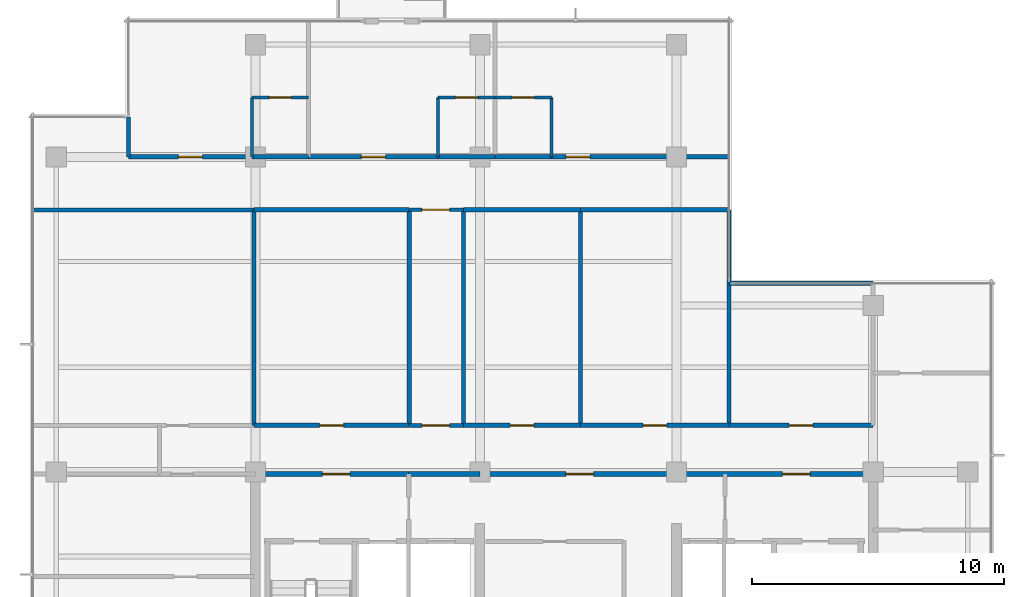
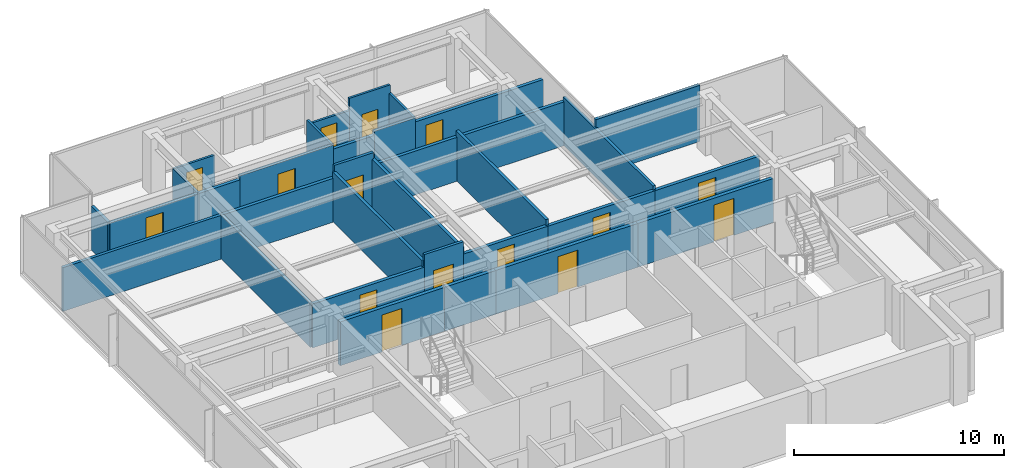
# One storey, part 7 of 11: 33 walls, 15 doors, 15 openings.
"""IFC4 building model written with IfcOpenShell, lengths in metres."""

from ifc_helpers import new_model, si_unit, direction, frame, frame_2d, origin, place, context, subcontext, project, spatial, rectangle, extrude, material, layer, layer_set, type_object, element, fill, save


model = new_model("IFC4")

# Units and contexts
model_context = context("Model", 3, precision=1e-05, world=origin(), true_north=direction((0.0, 1.0)))
body_context = subcontext(model_context, "Body", "Model", "MODEL_VIEW")
ifc_project = project(units=[si_unit("LENGTHUNIT", "METRE"), si_unit("AREAUNIT", "SQUARE_METRE"), si_unit("VOLUMEUNIT", "CUBIC_METRE"), si_unit("PLANEANGLEUNIT", "RADIAN"), si_unit("MASSUNIT", "GRAM", prefix="KILO")], contexts=[model_context])

# Site, building, storey
site_placement = place(None, origin())
site = spatial("IfcSite", under=ifc_project, at=site_placement, CompositionType="ELEMENT")
building_placement = place(site_placement, origin())
building = spatial("IfcBuilding", under=site, at=building_placement, Name="Qalmaran Belvedere Hotel", CompositionType="ELEMENT")
storey_placement = place(building_placement, frame((0.0, 0.0, 263.39990234375)))
storey = spatial("IfcBuildingStorey", under=building, at=storey_placement, Name="L68", CompositionType="ELEMENT", Elevation=263.39990234375)

# Wall, opening, door
ifc_material_1 = material(Name="Moisture-Resistant Gypsum")
ifc_layer_1 = layer(ifc_material_1, 0.1201171875, Name="Moisture-Resistant Gypsum")
ifc_layer_set_1 = layer_set([ifc_layer_1], Name="Moisture-Resistant Gypsum")
wall_type_1 = type_object("IfcWallType", Name="WL-INT-120-BATH", PredefinedType="PARTITIONING", material=ifc_layer_set_1)
wall_1_placement = place(storey_placement, frame((20.1630859375, 35.35009765625, 0.0), z_axis=(0.0, 0.0, 1.0), x_axis=(1.0, 0.0, 0.0)))
wall_1 = element("IfcWall", 1, at=wall_1_placement, inside=storey, type_object=wall_type_1, Name="L68 Partition WL-L68-NBN00", PredefinedType="PARTITIONING", context=body_context, shape_type="SweptSolid", body=[
    extrude(rectangle(XDim=2.25, YDim=0.1201171875, at=frame_2d((1.125, 0.0))), origin(), (0.0, 0.0, 1.0), 2.550048828125),
])
opening_1_placement = place(wall_1_placement, frame((1.56494140625, 0.0, 0.0), z_axis=(0.0, 0.0, 1.0), x_axis=(-1.0, 0.0, 0.0)))
opening_1 = element("IfcOpeningElement", 2, at=opening_1_placement, cuts=wall_1, Name="Opening D-BATH", PredefinedType="OPENING", context=body_context, shape_type="SweptSolid", body=[
    extrude(rectangle(XDim=0.8798828125, YDim=2.080078125, at=frame_2d((0.43994140625, 1.0400390625))), frame((0.0, 0.070068359375, 0.0), z_axis=(0.0, -1.0, 0.0), x_axis=(1.0, 0.0, 0.0)), (0.0, 0.0, 1.0), 0.14013671875),
])
ifc_material_2 = material(Name="Engineered Oak Veneer")
door_type_1 = type_object("IfcDoorType", Name="DR-INT-BATH-880X2080", OperationType="NOTDEFINED", PredefinedType="DOOR", material=ifc_material_2)
door_1_placement = place(opening_1_placement, origin())
door_1 = element("IfcDoor", 3, at=door_1_placement, inside=storey, type_object=door_type_1, Name="L68 Ensuite Bathroom Door N01", OperationType="SINGLE_SWING_RIGHT", OverallHeight=2.080078125, OverallWidth=0.8798828125, PredefinedType="DOOR", context=body_context, shape_type="SweptSolid", body=[
    extrude(rectangle(XDim=0.8798828125, YDim=2.080078125, at=frame_2d((0.43994140625, 1.0400390625))), frame((0.0, 0.02490234375, 0.0), z_axis=(0.0, -1.0, 0.0), x_axis=(1.0, 0.0, 0.0)), (0.0, 0.0, 1.0), 0.050048828125),
])
fill(opening_1, door_1)

# Wall
wall_2_placement = place(storey_placement, frame((20.1630859375, 33.0, 0.0), z_axis=(0.0, 0.0, 1.0), x_axis=(0.0, 1.0, 0.0)))
element("IfcWall", 4, at=wall_2_placement, inside=storey, type_object=wall_type_1, Name="L68 Partition WL-L68-NBS00", PredefinedType="PARTITIONING", context=body_context, shape_type="SweptSolid", body=[
    extrude(rectangle(XDim=2.35009765625, YDim=0.1201171875, at=frame_2d((1.175048828125, 0.0))), origin(), (0.0, 0.0, 1.0), 2.550048828125),
])

# Wall, opening, door
wall_3_placement = place(storey_placement, frame((27.544189453125, 35.35009765625, 0.0), z_axis=(0.0, 0.0, 1.0), x_axis=(1.0, 0.0, 0.0)))
wall_3 = element("IfcWall", 5, at=wall_3_placement, inside=storey, type_object=wall_type_1, Name="L68 Partition WL-L68-NBN01", PredefinedType="PARTITIONING", context=body_context, shape_type="SweptSolid", body=[
    extrude(rectangle(XDim=2.25, YDim=0.1201171875, at=frame_2d((1.125, 0.0))), origin(), (0.0, 0.0, 1.0), 2.550048828125),
])
opening_2_placement = place(wall_3_placement, frame((1.56494140625, 0.0, 0.0), z_axis=(0.0, 0.0, 1.0), x_axis=(-1.0, 0.0, 0.0)))
opening_2 = element("IfcOpeningElement", 6, at=opening_2_placement, cuts=wall_3, Name="Opening D-BATH", PredefinedType="OPENING", context=body_context, shape_type="SweptSolid", body=[
    extrude(rectangle(XDim=0.8798828125, YDim=2.080078125, at=frame_2d((0.43994140625, 1.0400390625))), frame((0.0, 0.070068359375, 0.0), z_axis=(0.0, -1.0, 0.0), x_axis=(1.0, 0.0, 0.0)), (0.0, 0.0, 1.0), 0.14013671875),
])
door_2_placement = place(opening_2_placement, origin())
door_2 = element("IfcDoor", 7, at=door_2_placement, inside=storey, type_object=door_type_1, Name="L68 Ensuite Bathroom Door N02", OperationType="SINGLE_SWING_RIGHT", OverallHeight=2.080078125, OverallWidth=0.8798828125, PredefinedType="DOOR", context=body_context, shape_type="SweptSolid", body=[
    extrude(rectangle(XDim=0.8798828125, YDim=2.080078125, at=frame_2d((0.43994140625, 1.0400390625))), frame((0.0, 0.02490234375, 0.0), z_axis=(0.0, -1.0, 0.0), x_axis=(1.0, 0.0, 0.0)), (0.0, 0.0, 1.0), 0.050048828125),
])
fill(opening_2, door_2)

# Wall
wall_4_placement = place(storey_placement, frame((27.544189453125, 33.0, 0.0), z_axis=(0.0, 0.0, 1.0), x_axis=(0.0, 1.0, 0.0)))
element("IfcWall", 8, at=wall_4_placement, inside=storey, type_object=wall_type_1, Name="L68 Partition WL-L68-NBS01", PredefinedType="PARTITIONING", context=body_context, shape_type="SweptSolid", body=[
    extrude(rectangle(XDim=2.35009765625, YDim=0.1201171875, at=frame_2d((1.175048828125, 0.0))), origin(), (0.0, 0.0, 1.0), 2.781982421875),
])

# Wall, opening, door
wall_5_placement = place(storey_placement, frame((29.794189453125, 35.35009765625, 0.0), z_axis=(0.0, 0.0, 1.0), x_axis=(1.0, 0.0, 0.0)))
wall_5 = element("IfcWall", 9, at=wall_5_placement, inside=storey, type_object=wall_type_1, Name="L68 Partition WL-L68-NBN02", PredefinedType="PARTITIONING", context=body_context, shape_type="SweptSolid", body=[
    extrude(rectangle(XDim=2.25, YDim=0.1201171875, at=frame_2d((1.125, 0.0))), origin(), (0.0, 0.0, 1.0), 3.260009765625),
])
opening_3_placement = place(wall_5_placement, frame((1.56494140625, 0.0, 0.0), z_axis=(0.0, 0.0, 1.0), x_axis=(-1.0, 0.0, 0.0)))
opening_3 = element("IfcOpeningElement", 10, at=opening_3_placement, cuts=wall_5, Name="Opening D-BATH", PredefinedType="OPENING", context=body_context, shape_type="SweptSolid", body=[
    extrude(rectangle(XDim=0.8798828125, YDim=2.080078125, at=frame_2d((0.43994140625, 1.0400390625))), frame((0.0, 0.070068359375, 0.0), z_axis=(0.0, -1.0, 0.0), x_axis=(1.0, 0.0, 0.0)), (0.0, 0.0, 1.0), 0.14013671875),
])
door_3_placement = place(opening_3_placement, origin())
door_3 = element("IfcDoor", 11, at=door_3_placement, inside=storey, type_object=door_type_1, Name="L68 Ensuite Bathroom Door N03", OperationType="SINGLE_SWING_RIGHT", OverallHeight=2.080078125, OverallWidth=0.8798828125, PredefinedType="DOOR", context=body_context, shape_type="SweptSolid", body=[
    extrude(rectangle(XDim=0.8798828125, YDim=2.080078125, at=frame_2d((0.43994140625, 1.0400390625))), frame((0.0, 0.02490234375, 0.0), z_axis=(0.0, -1.0, 0.0), x_axis=(1.0, 0.0, 0.0)), (0.0, 0.0, 1.0), 0.050048828125),
])
fill(opening_3, door_3)

# Wall
wall_6_placement = place(storey_placement, frame((32.044189453125, 33.0, 0.0), z_axis=(0.0, 0.0, 1.0), x_axis=(0.0, 1.0, 0.0)))
element("IfcWall", 12, at=wall_6_placement, inside=storey, type_object=wall_type_1, Name="L68 Partition WL-L68-NBS02", PredefinedType="PARTITIONING", context=body_context, shape_type="SweptSolid", body=[
    extrude(rectangle(XDim=2.35009765625, YDim=0.1201171875, at=frame_2d((1.175048828125, 0.0))), origin(), (0.0, 0.0, 1.0), 2.781982421875),
])

# Wall, opening, door
ifc_material_3 = material(Name="Gypsum Stud Partition")
ifc_layer_2 = layer(ifc_material_3, 0.14990234375, Name="Gypsum Stud Partition")
ifc_layer_set_2 = layer_set([ifc_layer_2], Name="Gypsum Stud Partition")
wall_type_2 = type_object("IfcWallType", Name="WL-INT-150-EI60", PredefinedType="PARTITIONING", material=ifc_layer_set_2)
wall_7_placement = place(storey_placement, frame((26.39990234375, 22.35009765625, 0.0), z_axis=(0.0, 0.0, 1.0), x_axis=(1.0, 0.0, 0.0)))
wall_7 = element("IfcWall", 13, at=wall_7_placement, inside=storey, type_object=wall_type_2, Name="L68 Partition WL-L68-XCLS", PredefinedType="PARTITIONING", context=body_context, shape_type="SweptSolid", body=[
    extrude(rectangle(XDim=2.150146484375, YDim=0.14990234375, at=frame_2d((1.0751953125, 0.0))), origin(), (0.0, 0.0, 1.0), 3.260009765625),
])
opening_4_placement = place(wall_7_placement, frame((0.5, 0.0, 0.0)))
opening_4 = element("IfcOpeningElement", 14, at=opening_4_placement, cuts=wall_7, Name="Opening FD90", PredefinedType="OPENING", context=body_context, shape_type="SweptSolid", body=[
    extrude(rectangle(XDim=1.10009765625, YDim=2.14990234375, at=frame_2d((0.550048828125, 1.074951171875))), frame((0.0, 0.0849609375, 0.0), z_axis=(0.0, -1.0, 0.0), x_axis=(1.0, 0.0, 0.0)), (0.0, 0.0, 1.0), 0.169921875),
])
ifc_material_4 = material(Name="Steel S355JR", Category="steel")
door_type_2 = type_object("IfcDoorType", Name="DR-FD90-1100X2150", OperationType="NOTDEFINED", PredefinedType="DOOR", material=ifc_material_4)
door_4_placement = place(opening_4_placement, origin())
door_4 = element("IfcDoor", 15, at=door_4_placement, inside=storey, type_object=door_type_2, Name="L68 Sky Link South Door", OperationType="SINGLE_SWING_LEFT", OverallHeight=2.14990234375, OverallWidth=1.10009765625, PredefinedType="DOOR", context=body_context, shape_type="SweptSolid", body=[
    extrude(rectangle(XDim=1.10009765625, YDim=2.14990234375, at=frame_2d((0.550048828125, 1.074951171875))), frame((0.0, 0.02490234375, 0.0), z_axis=(0.0, -1.0, 0.0), x_axis=(1.0, 0.0, 0.0)), (0.0, 0.0, 1.0), 0.050048828125),
])
fill(opening_4, door_4)

wall_8_placement = place(storey_placement, frame((26.39990234375, 30.89990234375, 0.0), z_axis=(0.0, 0.0, 1.0), x_axis=(1.0, 0.0, 0.0)))
wall_8 = element("IfcWall", 16, at=wall_8_placement, inside=storey, type_object=wall_type_2, Name="L68 Partition WL-L68-XCLN", PredefinedType="PARTITIONING", context=body_context, shape_type="SweptSolid", body=[
    extrude(rectangle(XDim=2.150146484375, YDim=0.14990234375, at=frame_2d((1.0751953125, 0.0))), origin(), (0.0, 0.0, 1.0), 3.260009765625),
])
opening_5_placement = place(wall_8_placement, frame((0.5, 0.0, 0.0)))
opening_5 = element("IfcOpeningElement", 17, at=opening_5_placement, cuts=wall_8, Name="Opening FD90", PredefinedType="OPENING", context=body_context, shape_type="SweptSolid", body=[
    extrude(rectangle(XDim=1.10009765625, YDim=2.14990234375, at=frame_2d((0.550048828125, 1.074951171875))), frame((0.0, 0.0849609375, 0.0), z_axis=(0.0, -1.0, 0.0), x_axis=(1.0, 0.0, 0.0)), (0.0, 0.0, 1.0), 0.169921875),
])
door_5_placement = place(opening_5_placement, origin())
door_5 = element("IfcDoor", 18, at=door_5_placement, inside=storey, type_object=door_type_2, Name="L68 Sky Link North Door", OperationType="SINGLE_SWING_RIGHT", OverallHeight=2.14990234375, OverallWidth=1.10009765625, PredefinedType="DOOR", context=body_context, shape_type="SweptSolid", body=[
    extrude(rectangle(XDim=1.10009765625, YDim=2.14990234375, at=frame_2d((0.550048828125, 1.074951171875))), frame((0.0, 0.02490234375, 0.0), z_axis=(0.0, -1.0, 0.0), x_axis=(1.0, 0.0, 0.0)), (0.0, 0.0, 1.0), 0.050048828125),
])
fill(opening_5, door_5)

# Walls
ifc_layer_3 = layer(ifc_material_3, 0.159912109375, Name="Gypsum Stud Partition")
ifc_layer_set_3 = layer_set([ifc_layer_3], Name="Gypsum Stud Partition")
wall_type_3 = type_object("IfcWallType", Name="WL-INT-160-EI60", PredefinedType="PARTITIONING", material=ifc_layer_set_3)
wall_9_placement = place(storey_placement, frame((11.469970703125, 30.89990234375, 0.0), z_axis=(0.0, 0.0, 1.0), x_axis=(1.0, 0.0, 0.0)))
element("IfcWall", 19, at=wall_9_placement, inside=storey, type_object=wall_type_3, Name="L68 Partition WL-L68-C4WN1", PredefinedType="PARTITIONING", context=body_context, shape_type="SweptSolid", body=[
    extrude(rectangle(XDim=8.780029296875, YDim=0.159912109375, at=frame_2d((4.39013671875, 0.0))), origin(), (0.0, 0.0, 1.0), 2.550048828125),
])
wall_10_placement = place(storey_placement, frame((20.25, 22.35009765625, 0.0), z_axis=(0.0, 0.0, 1.0), x_axis=(0.0, 1.0, 0.0)))
element("IfcWall", 20, at=wall_10_placement, inside=storey, type_object=wall_type_3, Name="L68 Partition WL-L68-C4MWVL", PredefinedType="PARTITIONING", context=body_context, shape_type="SweptSolid", body=[
    extrude(rectangle(XDim=8.5498046875, YDim=0.159912109375, at=frame_2d((4.27490234375, 0.0))), origin(), (0.0, 0.0, 1.0), 2.550048828125),
])
for number, where, z_axis, x_axis, name in (
    (21, (26.39990234375, 22.35009765625, 0.0), (0.0, 0.0, 1.0), (0.0, 1.0, 0.0), "L68 Partition WL-L68-C4MWVR1"),
    (22, (28.550048828125, 22.35009765625, 0.0), (0.0, 0.0, 1.0), (0.0, 1.0, 0.0), "L68 Partition WL-L68-C4MEVL"),
    (23, (33.199951171875, 22.35009765625, 0.0), (0.0, 0.0, 1.0), (0.0, 1.0, 0.0), "L68 Partition WL-L68-C4MEVR1"),
):
    element("IfcWall", number, at=place(storey_placement, frame(where, z_axis=z_axis, x_axis=x_axis)), inside=storey, type_object=wall_type_3, Name=name, PredefinedType="PARTITIONING", context=body_context, shape_type="SweptSolid", body=[
        extrude(rectangle(XDim=8.5498046875, YDim=0.159912109375, at=frame_2d((4.27490234375, 0.0))), origin(), (0.0, 0.0, 1.0), 2.88720703125),
    ])
wall_11_placement = place(storey_placement, frame((39.080078125, 22.35009765625, 0.0), z_axis=(0.0, 0.0, 1.0), x_axis=(0.0, 1.0, 0.0)))
element("IfcWall", 24, at=wall_11_placement, inside=storey, type_object=wall_type_3, Name="L68 Partition WL-L68-C4MEVR2", PredefinedType="PARTITIONING", context=body_context, shape_type="SweptSolid", body=[
    extrude(rectangle(XDim=8.5498046875, YDim=0.159912109375, at=frame_2d((4.27490234375, 0.0))), origin(), (0.0, 0.0, 1.0), 2.781982421875),
])
wall_12_placement = place(storey_placement, frame((15.27001953125, 33.0, 0.0), z_axis=(0.0, 0.0, 1.0), x_axis=(0.0, 1.0, 0.0)))
element("IfcWall", 25, at=wall_12_placement, inside=storey, type_object=wall_type_3, Name="L68 Partition WL-L68-NUL", PredefinedType="PARTITIONING", context=body_context, shape_type="SweptSolid", body=[
    extrude(rectangle(XDim=1.580078125, YDim=0.159912109375, at=frame_2d((0.7900390625, 0.0))), origin(), (0.0, 0.0, 1.0), 2.550048828125),
])

# Wall, opening, door
ifc_layer_4 = layer(ifc_material_3, 0.179931640625, Name="Gypsum Stud Partition")
ifc_layer_set_4 = layer_set([ifc_layer_4], Name="Gypsum Stud Partition")
wall_type_4 = type_object("IfcWallType", Name="WL-INT-180-EI60", PredefinedType="PARTITIONING", material=ifc_layer_set_4)
wall_13_placement = place(storey_placement, frame((20.25, 22.35009765625, 0.0), z_axis=(0.0, 0.0, 1.0), x_axis=(1.0, 0.0, 0.0)))
wall_13 = element("IfcWall", 26, at=wall_13_placement, inside=storey, type_object=wall_type_4, Name="L68 Partition WL-L68-C4MWD1", PredefinedType="PARTITIONING", context=body_context, shape_type="SweptSolid", body=[
    extrude(rectangle(XDim=6.14990234375, YDim=0.179931640625, at=frame_2d((3.074951171875, 0.0))), origin(), (0.0, 0.0, 1.0), 2.550048828125),
])
opening_6_placement = place(wall_13_placement, frame((2.60009765625, 0.0, 0.0)))
opening_6 = element("IfcOpeningElement", 27, at=opening_6_placement, cuts=wall_13, Name="Opening FD60", PredefinedType="OPENING", context=body_context, shape_type="SweptSolid", body=[
    extrude(rectangle(XDim=0.949951171875, YDim=2.14990234375, at=frame_2d((0.47509765625, 1.074951171875))), frame((0.0, 0.10009765625, 0.0), z_axis=(0.0, -1.0, 0.0), x_axis=(1.0, 0.0, 0.0)), (0.0, 0.0, 1.0), 0.199951171875),
])
door_type_3 = type_object("IfcDoorType", Name="DR-FD60-950X2150", OperationType="NOTDEFINED", PredefinedType="DOOR", material=ifc_material_2)
door_6_placement = place(opening_6_placement, origin())
door_6 = element("IfcDoor", 28, at=door_6_placement, inside=storey, type_object=door_type_3, Name="L68 Housekeeping and Linen Room Door", OperationType="SINGLE_SWING_RIGHT", OverallHeight=2.14990234375, OverallWidth=0.949951171875, PredefinedType="DOOR", context=body_context, shape_type="SweptSolid", body=[
    extrude(rectangle(XDim=0.949951171875, YDim=2.14990234375, at=frame_2d((0.47509765625, 1.074951171875))), frame((0.0, 0.02490234375, 0.0), z_axis=(0.0, -1.0, 0.0), x_axis=(1.0, 0.0, 0.0)), (0.0, 0.0, 1.0), 0.050048828125),
])
fill(opening_6, door_6)

# Wall
wall_14_placement = place(storey_placement, frame((20.25, 30.89990234375, 0.0), z_axis=(0.0, 0.0, 1.0), x_axis=(1.0, 0.0, 0.0)))
element("IfcWall", 29, at=wall_14_placement, inside=storey, type_object=wall_type_4, Name="L68 Partition WL-L68-C4MWO1", PredefinedType="PARTITIONING", context=body_context, shape_type="SweptSolid", body=[
    extrude(rectangle(XDim=6.14990234375, YDim=0.179931640625, at=frame_2d((3.074951171875, 0.0))), origin(), (0.0, 0.0, 1.0), 2.550048828125),
])

# Wall, opening, door
wall_15_placement = place(storey_placement, frame((28.550048828125, 22.35009765625, 0.0), z_axis=(0.0, 0.0, 1.0), x_axis=(1.0, 0.0, 0.0)))
wall_15 = element("IfcWall", 30, at=wall_15_placement, inside=storey, type_object=wall_type_4, Name="L68 Partition WL-L68-C4MED1", PredefinedType="PARTITIONING", context=body_context, shape_type="SweptSolid", body=[
    extrude(rectangle(XDim=4.64990234375, YDim=0.179931640625, at=frame_2d((2.324951171875, 0.0))), origin(), (0.0, 0.0, 1.0), 2.550048828125),
])
opening_7_placement = place(wall_15_placement, frame((1.85009765625, 0.0, 0.0)))
opening_7 = element("IfcOpeningElement", 31, at=opening_7_placement, cuts=wall_15, Name="Opening FD60", PredefinedType="OPENING", context=body_context, shape_type="SweptSolid", body=[
    extrude(rectangle(XDim=0.949951171875, YDim=2.14990234375, at=frame_2d((0.47509765625, 1.074951171875))), frame((0.0, 0.10009765625, 0.0), z_axis=(0.0, -1.0, 0.0), x_axis=(1.0, 0.0, 0.0)), (0.0, 0.0, 1.0), 0.199951171875),
])
door_7_placement = place(opening_7_placement, origin())
door_7 = element("IfcDoor", 32, at=door_7_placement, inside=storey, type_object=door_type_3, Name="L68 Drawing Lounge Door", OperationType="SINGLE_SWING_LEFT", OverallHeight=2.14990234375, OverallWidth=0.949951171875, PredefinedType="DOOR", context=body_context, shape_type="SweptSolid", body=[
    extrude(rectangle(XDim=0.949951171875, YDim=2.14990234375, at=frame_2d((0.47509765625, 1.074951171875))), frame((0.0, 0.02490234375, 0.0), z_axis=(0.0, -1.0, 0.0), x_axis=(1.0, 0.0, 0.0)), (0.0, 0.0, 1.0), 0.050048828125),
])
fill(opening_7, door_7)

# Wall
wall_16_placement = place(storey_placement, frame((28.550048828125, 30.89990234375, 0.0), z_axis=(0.0, 0.0, 1.0), x_axis=(1.0, 0.0, 0.0)))
element("IfcWall", 33, at=wall_16_placement, inside=storey, type_object=wall_type_4, Name="L68 Partition WL-L68-C4MEO1", PredefinedType="PARTITIONING", context=body_context, shape_type="SweptSolid", body=[
    extrude(rectangle(XDim=4.64990234375, YDim=0.179931640625, at=frame_2d((2.324951171875, 0.0))), origin(), (0.0, 0.0, 1.0), 2.550048828125),
])

# Wall, opening, door
wall_17_placement = place(storey_placement, frame((33.199951171875, 22.35009765625, 0.0), z_axis=(0.0, 0.0, 1.0), x_axis=(1.0, 0.0, 0.0)))
wall_17 = element("IfcWall", 34, at=wall_17_placement, inside=storey, type_object=wall_type_4, Name="L68 Partition WL-L68-C4MED2", PredefinedType="PARTITIONING", context=body_context, shape_type="SweptSolid", body=[
    extrude(rectangle(XDim=5.880126953125, YDim=0.179931640625, at=frame_2d((2.93994140625, 0.0))), origin(), (0.0, 0.0, 1.0), 2.550048828125),
])
opening_8_placement = place(wall_17_placement, frame((2.465087890625, 0.0, 0.0)))
opening_8 = element("IfcOpeningElement", 35, at=opening_8_placement, cuts=wall_17, Name="Opening FD60", PredefinedType="OPENING", context=body_context, shape_type="SweptSolid", body=[
    extrude(rectangle(XDim=0.949951171875, YDim=2.14990234375, at=frame_2d((0.47509765625, 1.074951171875))), frame((0.0, 0.10009765625, 0.0), z_axis=(0.0, -1.0, 0.0), x_axis=(1.0, 0.0, 0.0)), (0.0, 0.0, 1.0), 0.199951171875),
])
door_8_placement = place(opening_8_placement, origin())
door_8 = element("IfcDoor", 36, at=door_8_placement, inside=storey, type_object=door_type_3, Name="L68 Sitting Lounge Door", OperationType="SINGLE_SWING_RIGHT", OverallHeight=2.14990234375, OverallWidth=0.949951171875, PredefinedType="DOOR", context=body_context, shape_type="SweptSolid", body=[
    extrude(rectangle(XDim=0.949951171875, YDim=2.14990234375, at=frame_2d((0.47509765625, 1.074951171875))), frame((0.0, 0.02490234375, 0.0), z_axis=(0.0, -1.0, 0.0), x_axis=(1.0, 0.0, 0.0)), (0.0, 0.0, 1.0), 0.050048828125),
])
fill(opening_8, door_8)

# Wall
wall_18_placement = place(storey_placement, frame((33.199951171875, 30.89990234375, 0.0), z_axis=(0.0, 0.0, 1.0), x_axis=(1.0, 0.0, 0.0)))
element("IfcWall", 37, at=wall_18_placement, inside=storey, type_object=wall_type_4, Name="L68 Partition WL-L68-C4MEO2", PredefinedType="PARTITIONING", context=body_context, shape_type="SweptSolid", body=[
    extrude(rectangle(XDim=5.880126953125, YDim=0.179931640625, at=frame_2d((2.93994140625, 0.0))), origin(), (0.0, 0.0, 1.0), 2.550048828125),
])

# Wall, opening, door
wall_19_placement = place(storey_placement, frame((39.080078125, 22.35009765625, 0.0), z_axis=(0.0, 0.0, 1.0), x_axis=(1.0, 0.0, 0.0)))
wall_19 = element("IfcWall", 38, at=wall_19_placement, inside=storey, type_object=wall_type_4, Name="L68 Partition WL-L68-C4MFD1", PredefinedType="PARTITIONING", context=body_context, shape_type="SweptSolid", body=[
    extrude(rectangle(XDim=5.719970703125, YDim=0.179931640625, at=frame_2d((2.85986328125, 0.0))), origin(), (0.0, 0.0, 1.0), 2.550048828125),
])
opening_9_placement = place(wall_19_placement, frame((2.385009765625, 0.0, 0.0)))
opening_9 = element("IfcOpeningElement", 39, at=opening_9_placement, cuts=wall_19, Name="Opening FD60", PredefinedType="OPENING", context=body_context, shape_type="SweptSolid", body=[
    extrude(rectangle(XDim=0.949951171875, YDim=2.14990234375, at=frame_2d((0.47509765625, 1.074951171875))), frame((0.0, 0.10009765625, 0.0), z_axis=(0.0, -1.0, 0.0), x_axis=(1.0, 0.0, 0.0)), (0.0, 0.0, 1.0), 0.199951171875),
])
door_9_placement = place(opening_9_placement, origin())
door_9 = element("IfcDoor", 40, at=door_9_placement, inside=storey, type_object=door_type_3, Name="L68 Family Lounge Door", OperationType="SINGLE_SWING_LEFT", OverallHeight=2.14990234375, OverallWidth=0.949951171875, PredefinedType="DOOR", context=body_context, shape_type="SweptSolid", body=[
    extrude(rectangle(XDim=0.949951171875, YDim=2.14990234375, at=frame_2d((0.47509765625, 1.074951171875))), frame((0.0, 0.02490234375, 0.0), z_axis=(0.0, -1.0, 0.0), x_axis=(1.0, 0.0, 0.0)), (0.0, 0.0, 1.0), 0.050048828125),
])
fill(opening_9, door_9)

# Walls
wall_20_placement = place(storey_placement, frame((39.080078125, 27.97998046875, 0.0), z_axis=(0.0, 0.0, 1.0), x_axis=(1.0, 0.0, 0.0)))
element("IfcWall", 41, at=wall_20_placement, inside=storey, type_object=wall_type_4, Name="L68 Partition WL-L68-C4MFO1", PredefinedType="PARTITIONING", context=body_context, shape_type="SweptSolid", body=[
    extrude(rectangle(XDim=5.719970703125, YDim=0.179931640625, at=frame_2d((2.85986328125, 0.0))), origin(), (0.0, 0.0, 1.0), 3.260009765625),
])
wall_21_placement = place(storey_placement, frame((20.1630859375, 33.0, 0.0), z_axis=(0.0, 0.0, 1.0), x_axis=(1.0, 0.0, 0.0)))
element("IfcWall", 42, at=wall_21_placement, inside=storey, type_object=wall_type_4, Name="L68 Partition WL-L68-NBC00", PredefinedType="PARTITIONING", context=body_context, shape_type="SweptSolid", body=[
    extrude(rectangle(XDim=2.25, YDim=0.179931640625, at=frame_2d((1.125, 0.0))), origin(), (0.0, 0.0, 1.0), 2.550048828125),
])

# Wall, opening, door
wall_22_placement = place(storey_placement, frame((15.27001953125, 33.0, 0.0), z_axis=(0.0, 0.0, 1.0), x_axis=(1.0, 0.0, 0.0)))
wall_22 = element("IfcWall", 43, at=wall_22_placement, inside=storey, type_object=wall_type_4, Name="L68 Partition WL-L68-NEC00", PredefinedType="PARTITIONING", context=body_context, shape_type="SweptSolid", body=[
    extrude(rectangle(XDim=4.89306640625, YDim=0.179931640625, at=frame_2d((2.446533203125, 0.0))), origin(), (0.0, 0.0, 1.0), 2.550048828125),
])
opening_10_placement = place(wall_22_placement, frame((1.971435546875, 0.0, 0.0)))
opening_10 = element("IfcOpeningElement", 44, at=opening_10_placement, cuts=wall_22, Name="Opening FD60", PredefinedType="OPENING", context=body_context, shape_type="SweptSolid", body=[
    extrude(rectangle(XDim=0.949951171875, YDim=2.14990234375, at=frame_2d((0.47509765625, 1.074951171875))), frame((0.0, 0.10009765625, 0.0), z_axis=(0.0, -1.0, 0.0), x_axis=(1.0, 0.0, 0.0)), (0.0, 0.0, 1.0), 0.199951171875),
])
door_10_placement = place(opening_10_placement, origin())
door_10 = element("IfcDoor", 45, at=door_10_placement, inside=storey, type_object=door_type_3, Name="L68 Guest Entrance Door N01", OperationType="SINGLE_SWING_LEFT", OverallHeight=2.14990234375, OverallWidth=0.949951171875, PredefinedType="DOOR", context=body_context, shape_type="SweptSolid", body=[
    extrude(rectangle(XDim=0.949951171875, YDim=2.14990234375, at=frame_2d((0.47509765625, 1.074951171875))), frame((0.0, 0.02490234375, 0.0), z_axis=(0.0, -1.0, 0.0), x_axis=(1.0, 0.0, 0.0)), (0.0, 0.0, 1.0), 0.050048828125),
])
fill(opening_10, door_10)

# Wall
wall_23_placement = place(storey_placement, frame((27.544189453125, 33.0, 0.0), z_axis=(0.0, 0.0, 1.0), x_axis=(1.0, 0.0, 0.0)))
element("IfcWall", 46, at=wall_23_placement, inside=storey, type_object=wall_type_4, Name="L68 Partition WL-L68-NBC01", PredefinedType="PARTITIONING", context=body_context, shape_type="SweptSolid", body=[
    extrude(rectangle(XDim=2.25, YDim=0.179931640625, at=frame_2d((1.125, 0.0))), origin(), (0.0, 0.0, 1.0), 2.550048828125),
])

# Wall, opening, door
wall_24_placement = place(storey_placement, frame((22.4130859375, 33.0, 0.0), z_axis=(0.0, 0.0, 1.0), x_axis=(1.0, 0.0, 0.0)))
wall_24 = element("IfcWall", 47, at=wall_24_placement, inside=storey, type_object=wall_type_4, Name="L68 Partition WL-L68-NEC01", PredefinedType="PARTITIONING", context=body_context, shape_type="SweptSolid", body=[
    extrude(rectangle(XDim=5.131103515625, YDim=0.179931640625, at=frame_2d((2.5654296875, 0.0))), origin(), (0.0, 0.0, 1.0), 2.781982421875),
])
opening_11_placement = place(wall_24_placement, frame((2.090576171875, 0.0, 0.0)))
opening_11 = element("IfcOpeningElement", 48, at=opening_11_placement, cuts=wall_24, Name="Opening FD60", PredefinedType="OPENING", context=body_context, shape_type="SweptSolid", body=[
    extrude(rectangle(XDim=0.949951171875, YDim=2.14990234375, at=frame_2d((0.47509765625, 1.074951171875))), frame((0.0, 0.10009765625, 0.0), z_axis=(0.0, -1.0, 0.0), x_axis=(1.0, 0.0, 0.0)), (0.0, 0.0, 1.0), 0.199951171875),
])
door_11_placement = place(opening_11_placement, origin())
door_11 = element("IfcDoor", 49, at=door_11_placement, inside=storey, type_object=door_type_3, Name="L68 Guest Entrance Door N02", OperationType="SINGLE_SWING_LEFT", OverallHeight=2.14990234375, OverallWidth=0.949951171875, PredefinedType="DOOR", context=body_context, shape_type="SweptSolid", body=[
    extrude(rectangle(XDim=0.949951171875, YDim=2.14990234375, at=frame_2d((0.47509765625, 1.074951171875))), frame((0.0, 0.02490234375, 0.0), z_axis=(0.0, -1.0, 0.0), x_axis=(1.0, 0.0, 0.0)), (0.0, 0.0, 1.0), 0.050048828125),
])
fill(opening_11, door_11)

# Wall
wall_25_placement = place(storey_placement, frame((29.794189453125, 33.0, 0.0), z_axis=(0.0, 0.0, 1.0), x_axis=(1.0, 0.0, 0.0)))
element("IfcWall", 50, at=wall_25_placement, inside=storey, type_object=wall_type_4, Name="L68 Partition WL-L68-NBC02", PredefinedType="PARTITIONING", context=body_context, shape_type="SweptSolid", body=[
    extrude(rectangle(XDim=2.25, YDim=0.179931640625, at=frame_2d((1.125, 0.0))), origin(), (0.0, 0.0, 1.0), 2.781982421875),
])

# Wall, opening, door
wall_26_placement = place(storey_placement, frame((32.044189453125, 33.0, 0.0), z_axis=(0.0, 0.0, 1.0), x_axis=(1.0, 0.0, 0.0)))
wall_26 = element("IfcWall", 51, at=wall_26_placement, inside=storey, type_object=wall_type_4, Name="L68 Partition WL-L68-NEC02", PredefinedType="PARTITIONING", context=body_context, shape_type="SweptSolid", body=[
    extrude(rectangle(XDim=7.035888671875, YDim=0.179931640625, at=frame_2d((3.51806640625, 0.0))), origin(), (0.0, 0.0, 1.0), 2.550048828125),
])
opening_12_placement = place(wall_26_placement, frame((0.572998046875, 0.0, 0.0)))
opening_12 = element("IfcOpeningElement", 52, at=opening_12_placement, cuts=wall_26, Name="Opening FD60", PredefinedType="OPENING", context=body_context, shape_type="SweptSolid", body=[
    extrude(rectangle(XDim=0.949951171875, YDim=2.14990234375, at=frame_2d((0.47509765625, 1.074951171875))), frame((0.0, 0.10009765625, 0.0), z_axis=(0.0, -1.0, 0.0), x_axis=(1.0, 0.0, 0.0)), (0.0, 0.0, 1.0), 0.199951171875),
])
door_12_placement = place(opening_12_placement, origin())
door_12 = element("IfcDoor", 53, at=door_12_placement, inside=storey, type_object=door_type_3, Name="L68 Guest Entrance Door N03", OperationType="SINGLE_SWING_LEFT", OverallHeight=2.14990234375, OverallWidth=0.949951171875, PredefinedType="DOOR", context=body_context, shape_type="SweptSolid", body=[
    extrude(rectangle(XDim=0.949951171875, YDim=2.14990234375, at=frame_2d((0.47509765625, 1.074951171875))), frame((0.0, 0.02490234375, 0.0), z_axis=(0.0, -1.0, 0.0), x_axis=(1.0, 0.0, 0.0)), (0.0, 0.0, 1.0), 0.050048828125),
])
fill(opening_12, door_12)

ifc_material_5 = material(Name="Concrete C30/37 Blockwork", Category="masonry")
ifc_layer_5 = layer(ifc_material_5, 0.199951171875, Name="Concrete C30/37 Blockwork")
ifc_layer_set_5 = layer_set([ifc_layer_5], Name="Concrete C30/37 Blockwork")
wall_type_5 = type_object("IfcWallType", Name="WL-INT-200-EI120", PredefinedType="PARTITIONING", material=ifc_layer_set_5)
wall_27_placement = place(storey_placement, frame((20.64990234375, 20.419921875, 0.0), z_axis=(0.0, 0.0, 1.0), x_axis=(1.0, 0.0, 0.0)))
wall_27 = element("IfcWall", 54, at=wall_27_placement, inside=storey, type_object=wall_type_5, Name="L68 Partition WL-CN1A-L68", PredefinedType="PARTITIONING", context=body_context, shape_type="SweptSolid", body=[
    extrude(rectangle(XDim=5.72998046875, YDim=0.199951171875, at=frame_2d((2.864990234375, 0.0))), origin(), (0.0, 0.0, 1.0), 2.550048828125),
])
opening_13_placement = place(wall_27_placement, frame((2.300048828125, 0.0, 0.0)))
opening_13 = element("IfcOpeningElement", 55, at=opening_13_placement, cuts=wall_27, Name="Opening FD90", PredefinedType="OPENING", context=body_context, shape_type="SweptSolid", body=[
    extrude(rectangle(XDim=1.10009765625, YDim=2.14990234375, at=frame_2d((0.550048828125, 1.074951171875))), frame((0.0, 0.10986328125, 0.0), z_axis=(0.0, -1.0, 0.0), x_axis=(1.0, 0.0, 0.0)), (0.0, 0.0, 1.0), 0.219970703125),
])
door_13_placement = place(opening_13_placement, origin())
door_13 = element("IfcDoor", 56, at=door_13_placement, inside=storey, type_object=door_type_2, Name="L68 FF1 Lobby Corridor Door", OperationType="SINGLE_SWING_LEFT", OverallHeight=2.14990234375, OverallWidth=1.10009765625, PredefinedType="DOOR", context=body_context, shape_type="SweptSolid", body=[
    extrude(rectangle(XDim=1.10009765625, YDim=2.14990234375, at=frame_2d((0.550048828125, 1.074951171875))), frame((0.0, 0.02490234375, 0.0), z_axis=(0.0, -1.0, 0.0), x_axis=(1.0, 0.0, 0.0)), (0.0, 0.0, 1.0), 0.050048828125),
])
fill(opening_13, door_13)

# Wall
wall_28_placement = place(storey_placement, frame((26.3798828125, 20.419921875, 0.0), z_axis=(0.0, 0.0, 1.0), x_axis=(1.0, 0.0, 0.0)))
element("IfcWall", 57, at=wall_28_placement, inside=storey, type_object=wall_type_5, Name="L68 Partition WL-CN1B-L68", PredefinedType="PARTITIONING", context=body_context, shape_type="SweptSolid", body=[
    extrude(rectangle(XDim=2.820068359375, YDim=0.199951171875, at=frame_2d((1.41015625, 0.0))), origin(), (0.0, 0.0, 1.0), 2.550048828125),
])

# Wall, opening, door
wall_29_placement = place(storey_placement, frame((29.199951171875, 20.419921875, 0.0), z_axis=(0.0, 0.0, 1.0), x_axis=(1.0, 0.0, 0.0)))
wall_29 = element("IfcWall", 58, at=wall_29_placement, inside=storey, type_object=wall_type_5, Name="L68 Partition WL-CN2-L68", PredefinedType="PARTITIONING", context=body_context, shape_type="SweptSolid", body=[
    extrude(rectangle(XDim=7.800048828125, YDim=0.199951171875, at=frame_2d((3.89990234375, 0.0))), origin(), (0.0, 0.0, 1.0), 2.550048828125),
])
opening_14_placement = place(wall_29_placement, frame((3.4091796875, 0.0, 0.0)))
opening_14 = element("IfcOpeningElement", 59, at=opening_14_placement, cuts=wall_29, Name="Opening FD90", PredefinedType="OPENING", context=body_context, shape_type="SweptSolid", body=[
    extrude(rectangle(XDim=1.10009765625, YDim=2.14990234375, at=frame_2d((0.550048828125, 1.074951171875))), frame((0.0, 0.10986328125, 0.0), z_axis=(0.0, -1.0, 0.0), x_axis=(1.0, 0.0, 0.0)), (0.0, 0.0, 1.0), 0.219970703125),
])
door_14_placement = place(opening_14_placement, origin())
door_14 = element("IfcDoor", 60, at=door_14_placement, inside=storey, type_object=door_type_2, Name="L68 Central Lift Lobby Door", OperationType="SINGLE_SWING_RIGHT", OverallHeight=2.14990234375, OverallWidth=1.10009765625, PredefinedType="DOOR", context=body_context, shape_type="SweptSolid", body=[
    extrude(rectangle(XDim=1.10009765625, YDim=2.14990234375, at=frame_2d((0.550048828125, 1.074951171875))), frame((0.0, 0.02490234375, 0.0), z_axis=(0.0, -1.0, 0.0), x_axis=(1.0, 0.0, 0.0)), (0.0, 0.0, 1.0), 0.050048828125),
])
fill(opening_14, door_14)

wall_30_placement = place(storey_placement, frame((37.0, 20.419921875, 0.0), z_axis=(0.0, 0.0, 1.0), x_axis=(1.0, 0.0, 0.0)))
wall_30 = element("IfcWall", 61, at=wall_30_placement, inside=storey, type_object=wall_type_5, Name="L68 Partition WL-CN3-L68", PredefinedType="PARTITIONING", context=body_context, shape_type="SweptSolid", body=[
    extrude(rectangle(XDim=7.449951171875, YDim=0.199951171875, at=frame_2d((3.72509765625, 0.0))), origin(), (0.0, 0.0, 1.0), 2.550048828125),
])
opening_15_placement = place(wall_30_placement, frame((4.199951171875, 0.0, 0.0)))
opening_15 = element("IfcOpeningElement", 62, at=opening_15_placement, cuts=wall_30, Name="Opening FD90", PredefinedType="OPENING", context=body_context, shape_type="SweptSolid", body=[
    extrude(rectangle(XDim=1.10009765625, YDim=2.14990234375, at=frame_2d((0.550048828125, 1.074951171875))), frame((0.0, 0.10986328125, 0.0), z_axis=(0.0, -1.0, 0.0), x_axis=(1.0, 0.0, 0.0)), (0.0, 0.0, 1.0), 0.219970703125),
])
door_15_placement = place(opening_15_placement, origin())
door_15 = element("IfcDoor", 63, at=door_15_placement, inside=storey, type_object=door_type_2, Name="L68 FF2 Lobby Corridor Door", OperationType="SINGLE_SWING_LEFT", OverallHeight=2.14990234375, OverallWidth=1.10009765625, PredefinedType="DOOR", context=body_context, shape_type="SweptSolid", body=[
    extrude(rectangle(XDim=1.10009765625, YDim=2.14990234375, at=frame_2d((0.550048828125, 1.074951171875))), frame((0.0, 0.02490234375, 0.0), z_axis=(0.0, -1.0, 0.0), x_axis=(1.0, 0.0, 0.0)), (0.0, 0.0, 1.0), 0.050048828125),
])
fill(opening_15, door_15)

save(model, "model.ifc")
